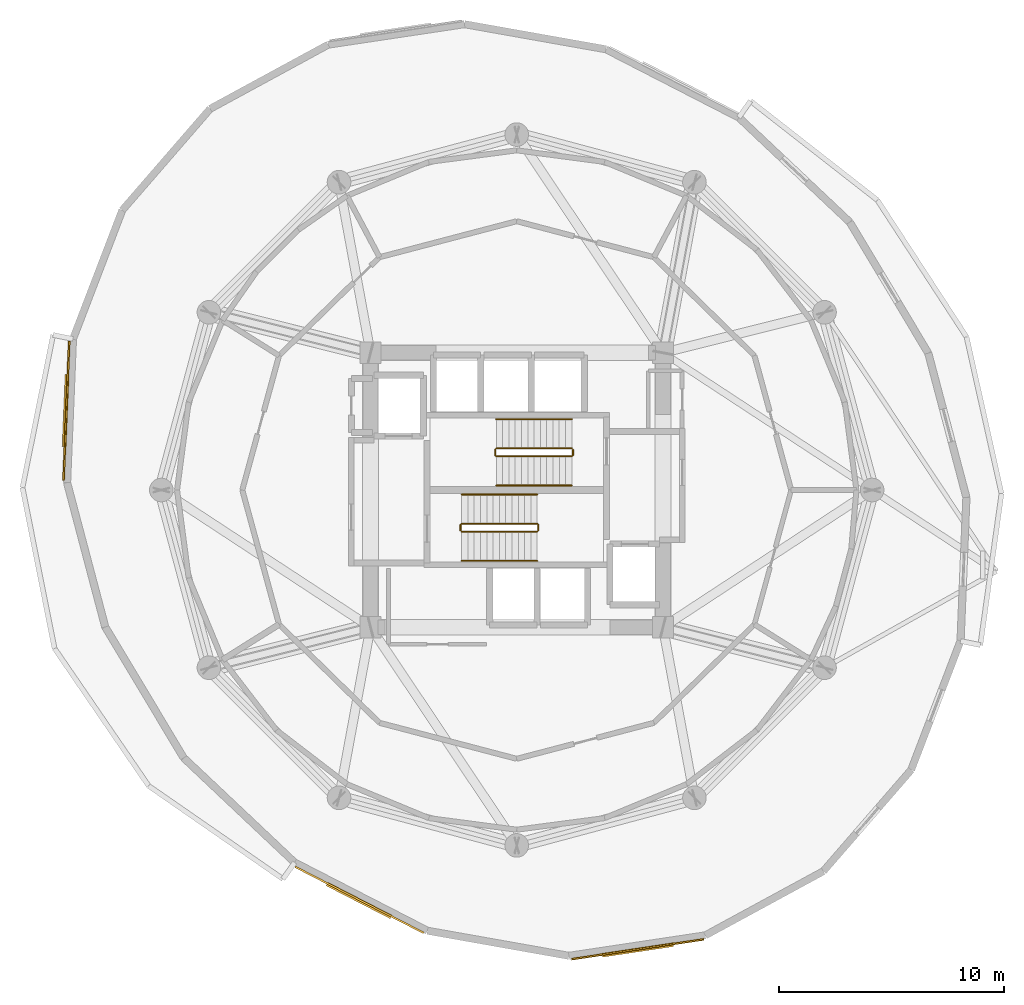
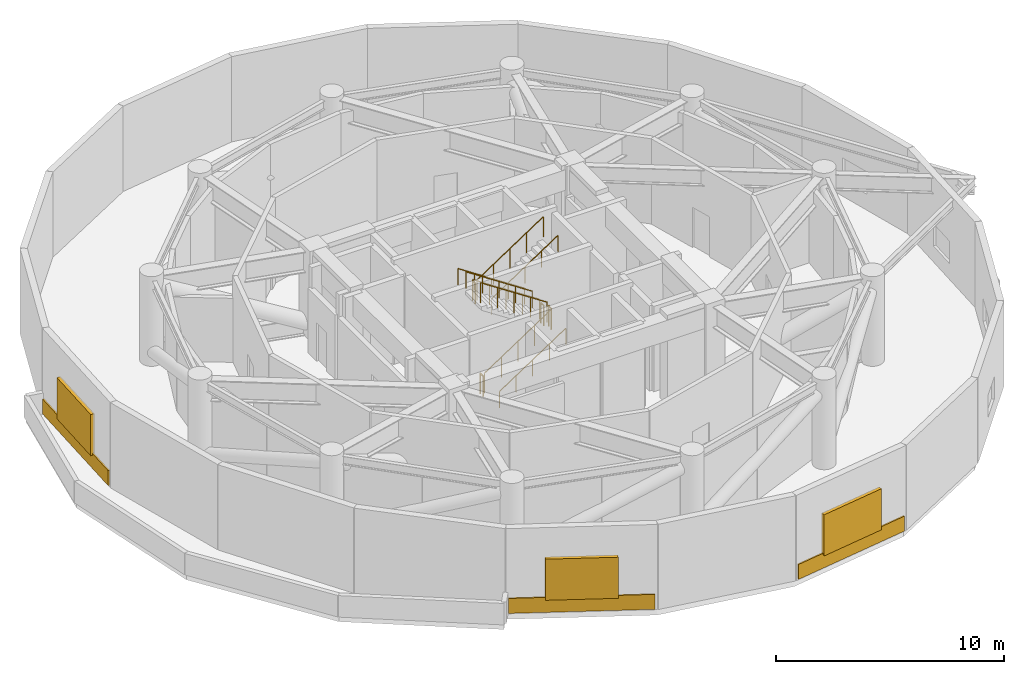
# One storey, part 6 of 7: 12 railings, 3 coverings, 3 shading devices.
"""IFC4 building model written with IfcOpenShell, lengths in metres."""

from ifc_helpers import new_model, si_unit, direction, frame, origin, origin_2d, place, context, subcontext, project, spatial, rectangle, circle, extrude, material, layer, layer_set, type_object, element, save


model = new_model("IFC4")

# Units and contexts
model_context = context("Model", 3, precision=1e-05, world=origin(), true_north=direction((0.0, 1.0)))
body_context = subcontext(model_context, "Body", "Model", "MODEL_VIEW")
ifc_project = project(units=[si_unit("LENGTHUNIT", "METRE"), si_unit("AREAUNIT", "SQUARE_METRE"), si_unit("VOLUMEUNIT", "CUBIC_METRE"), si_unit("PLANEANGLEUNIT", "RADIAN"), si_unit("MASSUNIT", "GRAM", prefix="KILO")], contexts=[model_context])

# Site, building, storey
site_placement = place(None, origin())
site = spatial("IfcSite", under=ifc_project, at=site_placement, CompositionType="ELEMENT")
building_placement = place(site_placement, origin())
building = spatial("IfcBuilding", under=site, at=building_placement, Name="Solvirekh Grand Hotel", CompositionType="ELEMENT")
storey_placement = place(building_placement, frame((0.0, 0.0, 163.800048828125)))
storey = spatial("IfcBuildingStorey", under=building, at=storey_placement, Name="L42", CompositionType="ELEMENT", Elevation=163.800048828125)

# Coverings
ifc_material_1 = material(Name="Anodized Bronze Aluminium 6063-T6", Category="aluminium")
ifc_layer_1 = layer(ifc_material_1, 0.0400390625)
ifc_layer_set_1 = layer_set([ifc_layer_1], Name="Anodized Bronze Aluminium 6063-T6")
covering_type = type_object("IfcCoveringType", Name="Cov_Cladding_Bronze", PredefinedType="CLADDING", material=ifc_layer_set_1)
covering_1_placement = place(storey_placement, frame((-20.01904296875, 3.530029296875, 0.0498046875), z_axis=(0.0, 0.0, 1.0), x_axis=(0.040829351979, 0.999166134343, 0.0)))
element("IfcCovering", 1, at=covering_1_placement, inside=storey, type_object=covering_type, Name="L42 bronze spandrel cladding band 13", PredefinedType="CLADDING", context=body_context, shape_type="SweptSolid", body=[
    extrude(rectangle(XDim=6.18798828125, YDim=0.080078125, at=origin_2d()), origin(), (0.0, 0.0, 1.0), 0.800048828125),
])
covering_2_placement = place(storey_placement, frame((-6.992919921875, -18.219970703125, 0.0498046875), z_axis=(0.0, 0.0, 1.0), x_axis=(-0.889336581107, 0.457253152537, 0.0)))
element("IfcCovering", 2, at=covering_2_placement, inside=storey, type_object=covering_type, Name="L42 bronze spandrel cladding band 17", PredefinedType="CLADDING", context=body_context, shape_type="SweptSolid", body=[
    extrude(rectangle(XDim=6.43603515625, YDim=0.080078125, at=origin_2d()), origin(), (0.0, 0.0, 1.0), 0.800048828125),
])
covering_3_placement = place(storey_placement, frame((5.3779296875, -20.4140625, 0.0498046875), z_axis=(0.0, 0.0, 1.0), x_axis=(-0.988912431918, -0.14849983838, 0.0)))
element("IfcCovering", 3, at=covering_3_placement, inside=storey, type_object=covering_type, Name="L42 bronze spandrel cladding band 19", PredefinedType="CLADDING", context=body_context, shape_type="SweptSolid", body=[
    extrude(rectangle(XDim=5.931884765625, YDim=0.080078125, at=origin_2d()), origin(), (0.0, 0.0, 1.0), 0.800048828125),
])

# Railings
ifc_material_2 = material(Name="Steel S355", Category="steel")
railing_type_1 = type_object("IfcRailingType", Name="Guard_Stair_1100", PredefinedType="GUARDRAIL", material=ifc_material_2)
railing_1_placement = place(storey_placement, frame((-2.449951171875, -1.85009765625, 0.1845703125)))
element("IfcRailing", 4, at=railing_1_placement, inside=storey, type_object=railing_type_1, Name="L42 ST-1 stair guard 1", PredefinedType="GUARDRAIL", context=body_context, shape_type="SweptSolid", body=[
    extrude(circle(Radius=0.02392578125, at=origin_2d()), frame((0.0, 0.0, 1.076171875), z_axis=(0.834858096282, 0.0, 0.550465220583), x_axis=(0.0, 1.0, 0.0)), (0.0, 0.0, 1.0), 4.0244140625),
    extrude(circle(Radius=0.02099609375, at=origin_2d()), origin(), (0.0, 0.0, 1.0), 1.052001953125),
    extrude(circle(Radius=0.02099609375, at=origin_2d()), frame((0.83984375, 0.0, 0.5537109375)), (0.0, 0.0, 1.0), 1.052001953125),
    extrude(circle(Radius=0.02099609375, at=origin_2d()), frame((1.679931640625, 0.0, 1.107666015625)), (0.0, 0.0, 1.0), 1.052001953125),
    extrude(circle(Radius=0.02099609375, at=origin_2d()), frame((2.52001953125, 0.0, 1.66162109375)), (0.0, 0.0, 1.0), 1.052001953125),
    extrude(circle(Radius=0.02099609375, at=origin_2d()), frame((3.35986328125, 0.0, 2.21533203125)), (0.0, 0.0, 1.0), 1.052001953125),
])
railing_2_placement = place(storey_placement, frame((0.9599609375, -1.800048828125, 2.39990234375)))
element("IfcRailing", 5, at=railing_2_placement, inside=storey, type_object=railing_type_1, Name="L42 ST-1 stair guard 2", PredefinedType="GUARDRAIL", context=body_context, shape_type="SweptSolid", body=[
    extrude(circle(Radius=0.02392578125, at=origin_2d()), frame((0.0, 0.0, 1.076171875), z_axis=(0.0, 1.0, 0.0), x_axis=(-1.0, 0.0, 0.0)), (0.0, 0.0, 1.0), 0.25),
    extrude(circle(Radius=0.02099609375, at=origin_2d()), origin(), (0.0, 0.0, 1.0), 1.052001953125),
    extrude(circle(Radius=0.02099609375, at=origin_2d()), frame((0.0, 0.25, 0.0)), (0.0, 0.0, 1.0), 1.052001953125),
])
railing_3_placement = place(storey_placement, frame((0.909912109375, -1.5, 2.58447265625)))
element("IfcRailing", 6, at=railing_3_placement, inside=storey, type_object=railing_type_1, Name="L42 ST-1 stair guard 3", PredefinedType="GUARDRAIL", context=body_context, shape_type="SweptSolid", body=[
    extrude(circle(Radius=0.02392578125, at=origin_2d()), frame((0.0, 0.0, 1.076171875), z_axis=(-0.83483021737, 0.0, 0.550507500554), x_axis=(0.0, -1.0, 0.0)), (0.0, 0.0, 1.0), 4.024658203125),
    extrude(circle(Radius=0.02099609375, at=origin_2d()), origin(), (0.0, 0.0, 1.0), 1.052001953125),
    extrude(circle(Radius=0.02099609375, at=origin_2d()), frame((-0.83984375, 0.0, 0.553955078125)), (0.0, 0.0, 1.0), 1.052001953125),
    extrude(circle(Radius=0.02099609375, at=origin_2d()), frame((-1.679931640625, 0.0, 1.10791015625)), (0.0, 0.0, 1.0), 1.052001953125),
    extrude(circle(Radius=0.02099609375, at=origin_2d()), frame((-2.52001953125, 0.0, 1.66162109375)), (0.0, 0.0, 1.0), 1.052001953125),
    extrude(circle(Radius=0.02099609375, at=origin_2d()), frame((-3.35986328125, 0.0, 2.215576171875)), (0.0, 0.0, 1.0), 1.052001953125),
])
railing_4_placement = place(storey_placement, frame((-2.5, -1.800048828125, 0.0)))
element("IfcRailing", 7, at=railing_4_placement, inside=storey, type_object=railing_type_1, Name="L42 ST-1 stair guard 4", PredefinedType="GUARDRAIL", context=body_context, shape_type="SweptSolid", body=[
    extrude(circle(Radius=0.02392578125, at=origin_2d()), frame((0.0, 0.0, 1.076171875), z_axis=(0.0, 1.0, 0.0), x_axis=(-1.0, 0.0, 0.0)), (0.0, 0.0, 1.0), 0.25),
    extrude(circle(Radius=0.02099609375, at=origin_2d()), origin(), (0.0, 0.0, 1.0), 1.052001953125),
    extrude(circle(Radius=0.02099609375, at=origin_2d()), frame((0.0, 0.25, 0.0)), (0.0, 0.0, 1.0), 1.052001953125),
])
railing_5_placement = place(storey_placement, frame((2.449951171875, 1.85009765625, 0.1845703125)))
element("IfcRailing", 8, at=railing_5_placement, inside=storey, type_object=railing_type_1, Name="L42 ST-2 stair guard 1", PredefinedType="GUARDRAIL", context=body_context, shape_type="SweptSolid", body=[
    extrude(circle(Radius=0.02392578125, at=origin_2d()), frame((0.0, 0.0, 1.076171875), z_axis=(-0.834858096282, 0.0, 0.550465220583), x_axis=(0.0, -1.0, 0.0)), (0.0, 0.0, 1.0), 4.0244140625),
    extrude(circle(Radius=0.02099609375, at=origin_2d()), origin(), (0.0, 0.0, 1.0), 1.052001953125),
    extrude(circle(Radius=0.02099609375, at=origin_2d()), frame((-0.83984375, 0.0, 0.5537109375)), (0.0, 0.0, 1.0), 1.052001953125),
    extrude(circle(Radius=0.02099609375, at=origin_2d()), frame((-1.679931640625, 0.0, 1.107666015625)), (0.0, 0.0, 1.0), 1.052001953125),
    extrude(circle(Radius=0.02099609375, at=origin_2d()), frame((-2.52001953125, 0.0, 1.66162109375)), (0.0, 0.0, 1.0), 1.052001953125),
    extrude(circle(Radius=0.02099609375, at=origin_2d()), frame((-3.35986328125, 0.0, 2.21533203125)), (0.0, 0.0, 1.0), 1.052001953125),
])
railing_6_placement = place(storey_placement, frame((-0.9599609375, 1.800048828125, 2.39990234375)))
element("IfcRailing", 9, at=railing_6_placement, inside=storey, type_object=railing_type_1, Name="L42 ST-2 stair guard 2", PredefinedType="GUARDRAIL", context=body_context, shape_type="SweptSolid", body=[
    extrude(circle(Radius=0.02392578125, at=origin_2d()), frame((0.0, 0.0, 1.076171875), z_axis=(0.0, -1.0, 0.0), x_axis=(1.0, 0.0, 0.0)), (0.0, 0.0, 1.0), 0.25),
    extrude(circle(Radius=0.02099609375, at=origin_2d()), origin(), (0.0, 0.0, 1.0), 1.052001953125),
    extrude(circle(Radius=0.02099609375, at=origin_2d()), frame((0.0, -0.25, 0.0)), (0.0, 0.0, 1.0), 1.052001953125),
])
railing_7_placement = place(storey_placement, frame((-0.909912109375, 1.5, 2.58447265625)))
element("IfcRailing", 10, at=railing_7_placement, inside=storey, type_object=railing_type_1, Name="L42 ST-2 stair guard 3", PredefinedType="GUARDRAIL", context=body_context, shape_type="SweptSolid", body=[
    extrude(circle(Radius=0.02392578125, at=origin_2d()), frame((0.0, 0.0, 1.076171875), z_axis=(0.83483021737, 0.0, 0.550507500554), x_axis=(0.0, 1.0, 0.0)), (0.0, 0.0, 1.0), 4.024658203125),
    extrude(circle(Radius=0.02099609375, at=origin_2d()), origin(), (0.0, 0.0, 1.0), 1.052001953125),
    extrude(circle(Radius=0.02099609375, at=origin_2d()), frame((0.83984375, 0.0, 0.553955078125)), (0.0, 0.0, 1.0), 1.052001953125),
    extrude(circle(Radius=0.02099609375, at=origin_2d()), frame((1.679931640625, 0.0, 1.10791015625)), (0.0, 0.0, 1.0), 1.052001953125),
    extrude(circle(Radius=0.02099609375, at=origin_2d()), frame((2.52001953125, 0.0, 1.66162109375)), (0.0, 0.0, 1.0), 1.052001953125),
    extrude(circle(Radius=0.02099609375, at=origin_2d()), frame((3.35986328125, 0.0, 2.215576171875)), (0.0, 0.0, 1.0), 1.052001953125),
])
railing_8_placement = place(storey_placement, frame((2.5, 1.800048828125, 0.0)))
element("IfcRailing", 11, at=railing_8_placement, inside=storey, type_object=railing_type_1, Name="L42 ST-2 stair guard 4", PredefinedType="GUARDRAIL", context=body_context, shape_type="SweptSolid", body=[
    extrude(circle(Radius=0.02392578125, at=origin_2d()), frame((0.0, 0.0, 1.076171875), z_axis=(0.0, -1.0, 0.0), x_axis=(1.0, 0.0, 0.0)), (0.0, 0.0, 1.0), 0.25),
    extrude(circle(Radius=0.02099609375, at=origin_2d()), origin(), (0.0, 0.0, 1.0), 1.052001953125),
    extrude(circle(Radius=0.02099609375, at=origin_2d()), frame((0.0, -0.25, 0.0)), (0.0, 0.0, 1.0), 1.052001953125),
])
railing_type_2 = type_object("IfcRailingType", Name="Handrail_Wall_900", PredefinedType="HANDRAIL", material=ifc_material_1)
railing_9_placement = place(storey_placement, frame((-2.449951171875, -3.14990234375, 0.1845703125)))
element("IfcRailing", 12, at=railing_9_placement, inside=storey, type_object=railing_type_2, Name="L42 ST-1 stair handrail 1", PredefinedType="HANDRAIL", context=body_context, shape_type="SweptSolid", body=[
    extrude(circle(Radius=0.02392578125, at=origin_2d()), frame((0.0, 0.0, 0.8759765625), z_axis=(0.834858096282, 0.0, 0.550465220583), x_axis=(0.0, 1.0, 0.0)), (0.0, 0.0, 1.0), 4.0244140625),
    extrude(circle(Radius=0.02099609375, at=origin_2d()), origin(), (0.0, 0.0, 1.0), 0.851806640625),
    extrude(circle(Radius=0.02099609375, at=origin_2d()), frame((0.83984375, 0.0, 0.5537109375)), (0.0, 0.0, 1.0), 0.851806640625),
    extrude(circle(Radius=0.02099609375, at=origin_2d()), frame((1.679931640625, 0.0, 1.107666015625)), (0.0, 0.0, 1.0), 0.851806640625),
    extrude(circle(Radius=0.02099609375, at=origin_2d()), frame((2.52001953125, 0.0, 1.66162109375)), (0.0, 0.0, 1.0), 0.851806640625),
    extrude(circle(Radius=0.02099609375, at=origin_2d()), frame((3.35986328125, 0.0, 2.21533203125)), (0.0, 0.0, 1.0), 0.851806640625),
])
railing_10_placement = place(storey_placement, frame((0.909912109375, -0.199951171875, 2.58447265625)))
element("IfcRailing", 13, at=railing_10_placement, inside=storey, type_object=railing_type_2, Name="L42 ST-1 stair handrail 2", PredefinedType="HANDRAIL", context=body_context, shape_type="SweptSolid", body=[
    extrude(circle(Radius=0.02392578125, at=origin_2d()), frame((0.0, 0.0, 0.8759765625), z_axis=(-0.83483021737, 0.0, 0.550507500554), x_axis=(0.0, -1.0, 0.0)), (0.0, 0.0, 1.0), 4.024658203125),
    extrude(circle(Radius=0.02099609375, at=origin_2d()), origin(), (0.0, 0.0, 1.0), 0.851806640625),
    extrude(circle(Radius=0.02099609375, at=origin_2d()), frame((-0.83984375, 0.0, 0.553955078125)), (0.0, 0.0, 1.0), 0.851806640625),
    extrude(circle(Radius=0.02099609375, at=origin_2d()), frame((-1.679931640625, 0.0, 1.10791015625)), (0.0, 0.0, 1.0), 0.851806640625),
    extrude(circle(Radius=0.02099609375, at=origin_2d()), frame((-2.52001953125, 0.0, 1.66162109375)), (0.0, 0.0, 1.0), 0.851806640625),
    extrude(circle(Radius=0.02099609375, at=origin_2d()), frame((-3.35986328125, 0.0, 2.215576171875)), (0.0, 0.0, 1.0), 0.851806640625),
])
railing_11_placement = place(storey_placement, frame((2.449951171875, 3.14990234375, 0.1845703125)))
element("IfcRailing", 14, at=railing_11_placement, inside=storey, type_object=railing_type_2, Name="L42 ST-2 stair handrail 1", PredefinedType="HANDRAIL", context=body_context, shape_type="SweptSolid", body=[
    extrude(circle(Radius=0.02392578125, at=origin_2d()), frame((0.0, 0.0, 0.8759765625), z_axis=(-0.834858096282, 0.0, 0.550465220583), x_axis=(0.0, -1.0, 0.0)), (0.0, 0.0, 1.0), 4.0244140625),
    extrude(circle(Radius=0.02099609375, at=origin_2d()), origin(), (0.0, 0.0, 1.0), 0.851806640625),
    extrude(circle(Radius=0.02099609375, at=origin_2d()), frame((-0.83984375, 0.0, 0.5537109375)), (0.0, 0.0, 1.0), 0.851806640625),
    extrude(circle(Radius=0.02099609375, at=origin_2d()), frame((-1.679931640625, 0.0, 1.107666015625)), (0.0, 0.0, 1.0), 0.851806640625),
    extrude(circle(Radius=0.02099609375, at=origin_2d()), frame((-2.52001953125, 0.0, 1.66162109375)), (0.0, 0.0, 1.0), 0.851806640625),
    extrude(circle(Radius=0.02099609375, at=origin_2d()), frame((-3.35986328125, 0.0, 2.21533203125)), (0.0, 0.0, 1.0), 0.851806640625),
])
railing_12_placement = place(storey_placement, frame((-0.909912109375, 0.199951171875, 2.58447265625)))
element("IfcRailing", 15, at=railing_12_placement, inside=storey, type_object=railing_type_2, Name="L42 ST-2 stair handrail 2", PredefinedType="HANDRAIL", context=body_context, shape_type="SweptSolid", body=[
    extrude(circle(Radius=0.02392578125, at=origin_2d()), frame((0.0, 0.0, 0.8759765625), z_axis=(0.83483021737, 0.0, 0.550507500554), x_axis=(0.0, 1.0, 0.0)), (0.0, 0.0, 1.0), 4.024658203125),
    extrude(circle(Radius=0.02099609375, at=origin_2d()), origin(), (0.0, 0.0, 1.0), 0.851806640625),
    extrude(circle(Radius=0.02099609375, at=origin_2d()), frame((0.83984375, 0.0, 0.553955078125)), (0.0, 0.0, 1.0), 0.851806640625),
    extrude(circle(Radius=0.02099609375, at=origin_2d()), frame((1.679931640625, 0.0, 1.10791015625)), (0.0, 0.0, 1.0), 0.851806640625),
    extrude(circle(Radius=0.02099609375, at=origin_2d()), frame((2.52001953125, 0.0, 1.66162109375)), (0.0, 0.0, 1.0), 0.851806640625),
    extrude(circle(Radius=0.02099609375, at=origin_2d()), frame((3.35986328125, 0.0, 2.215576171875)), (0.0, 0.0, 1.0), 0.851806640625),
])

# Shading devices
ifc_layer_2 = layer(ifc_material_1, 0.1201171875)
ifc_layer_set_2 = layer_set([ifc_layer_2], Name="Anodized Bronze Aluminium 6063-T6")
shading_device_type = type_object("IfcShadingDeviceType", Name="Shade_PlantLouvre", PredefinedType="JALOUSIE", material=ifc_layer_set_2)
for number, where, z_axis, x_axis, name in (
    (16, (-20.049072265625, 3.531005859375, 0.75), (0.0, 0.0, 1.0), (0.040829351979, 0.999166134343, 0.0), "L42 anodized bronze plant intake louvre 13"),
    (17, (-7.007080078125, -18.2470703125, 0.75), (0.0, 0.0, 1.0), (-0.889336581107, 0.457253152537, 0.0), "L42 anodized bronze plant intake louvre 17"),
    (18, (5.382080078125, -20.443115234375, 0.75), (0.0, 0.0, 1.0), (-0.988912431918, -0.14849983838, 0.0), "L42 anodized bronze plant intake louvre 19"),
):
    element("IfcShadingDevice", number, at=place(storey_placement, frame(where, z_axis=z_axis, x_axis=x_axis)), inside=storey, type_object=shading_device_type, Name=name, PredefinedType="JALOUSIE", context=body_context, shape_type="SweptSolid", body=[
        extrude(rectangle(XDim=3.199951171875, YDim=0.179931640625, at=origin_2d()), origin(), (0.0, 0.0, 1.0), 2.199951171875),
    ])

save(model, "model.ifc")
